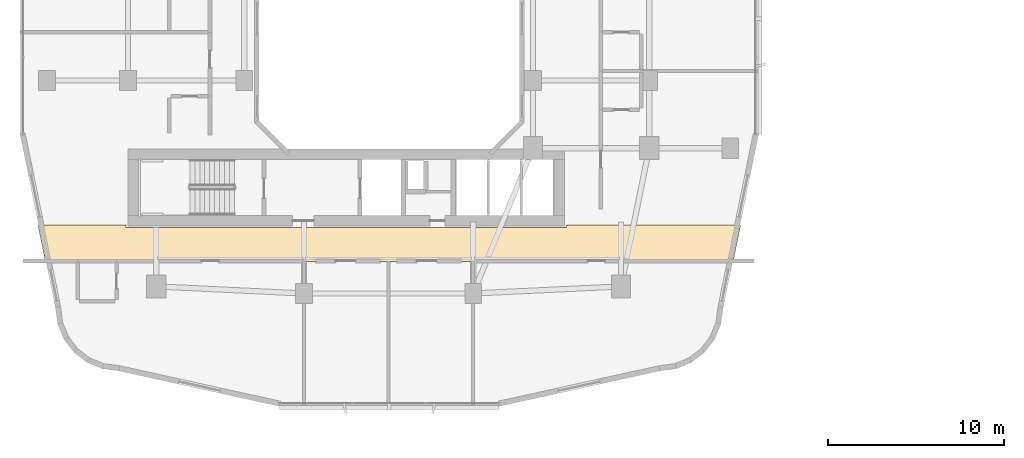
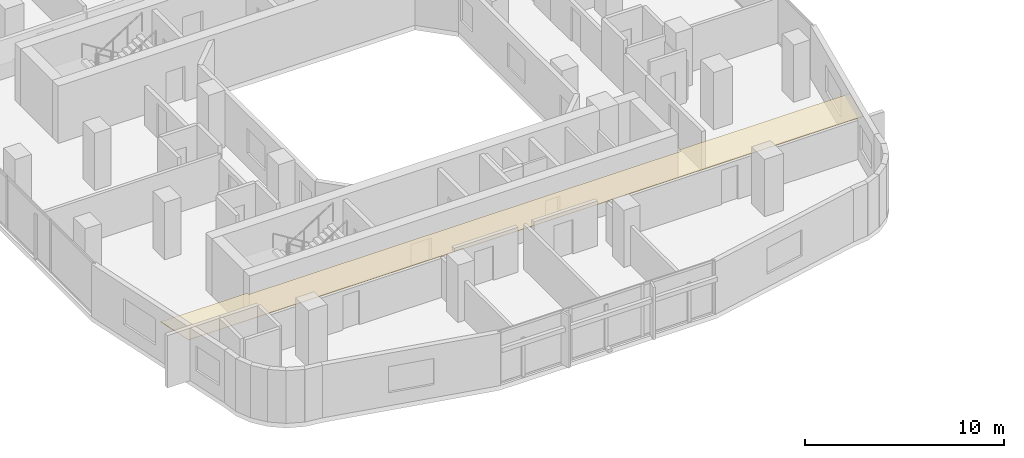
# One storey, part 23 of 26: 1 covering.
"""IFC4 building model written with IfcOpenShell, lengths in metres."""

from ifc_helpers import new_model, si_unit, derived_unit, direction, frame, origin, place, context, subcontext, project, spatial, polyline, outline, extrude, material, layer, layer_set, type_object, element, save


model = new_model("IFC4")

# Units and contexts
model_context = context("Model", 3, precision=1e-05, world=origin(), true_north=direction((0.0, 1.0)))
body_context = subcontext(model_context, "Body", "Model", "MODEL_VIEW")
ifc_project = project(units=[si_unit("LENGTHUNIT", "METRE"), si_unit("AREAUNIT", "SQUARE_METRE"), si_unit("VOLUMEUNIT", "CUBIC_METRE"), si_unit("PLANEANGLEUNIT", "RADIAN"), si_unit("MASSUNIT", "GRAM", prefix="KILO"), derived_unit("THERMALTRANSMITTANCEUNIT", [(si_unit("POWERUNIT", "WATT"), 1), (si_unit("LENGTHUNIT", "METRE"), -2), (si_unit("THERMODYNAMICTEMPERATUREUNIT", "KELVIN"), -1)])], contexts=[model_context])

# Site, building, storey
site_placement = place(None, origin())
site = spatial("IfcSite", under=ifc_project, at=site_placement, CompositionType="ELEMENT")
building_placement = place(site_placement, origin())
building = spatial("IfcBuilding", under=site, at=building_placement, Name="Kivonza Crest Hotel", CompositionType="ELEMENT")
storey_placement = place(building_placement, frame((0.0, 0.0, 52.0)))
storey = spatial("IfcBuildingStorey", under=building, at=storey_placement, Name="L13", CompositionType="ELEMENT", Elevation=52.0)

# Covering
ifc_material = material(Name="Mineral-fibre acoustic ceiling tile", Category="gypsum")
ifc_layer = layer(ifc_material, 0.02490234375)
ifc_layer_set = layer_set([ifc_layer], Name="Mineral-fibre acoustic ceiling tile")
covering_type = type_object("IfcCoveringType", Name="CV-CEIL-ACOU", PredefinedType="CEILING", material=ifc_layer_set)
covering_placement = place(storey_placement, frame((0.0, 0.0, 2.449951171875)))
element("IfcCovering", 1, at=covering_placement, inside=storey, type_object=covering_type, Name="L13 Hotel South Guest Corridor suspended ceiling", PredefinedType="CEILING", context=body_context, shape_type="SweptSolid", body=[
    extrude(outline(polyline([(31.10009765625, 13.2900390625), (31.10009765625, 13.139892578125), (6.10009765625, 13.139892578125), (6.10009765625, 13.280029296875), (1.083984375, 13.280029296875), (1.506103515625, 11.2099609375), (40.573974609375, 11.2099609375), (40.99609375, 13.280029296875), (33.090087890625, 13.280029296875), (33.090087890625, 13.2900390625), (31.10009765625, 13.2900390625)])), origin(), (0.0, 0.0, 1.0), 0.025146484375),
])

save(model, "model.ifc")
